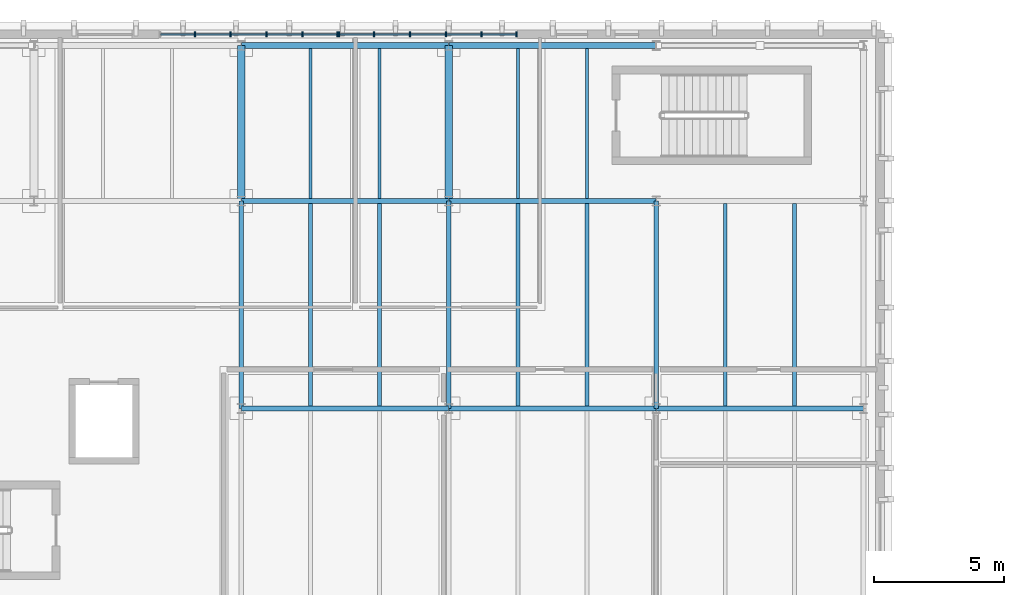
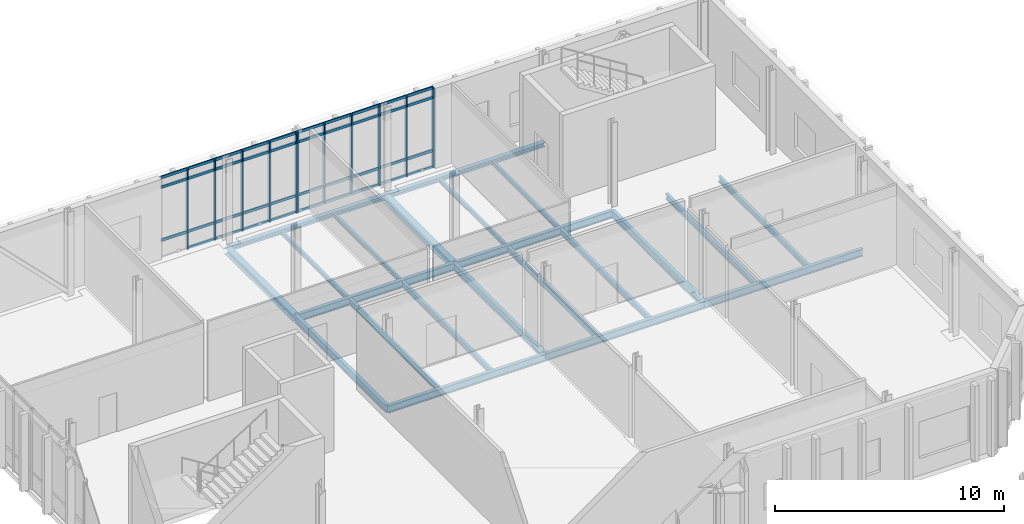
# One storey, part 23 of 62: 50 members, 22 beams, 2 elements without a shape of their own.
"""IFC4 building model written with IfcOpenShell, lengths in metres."""

from ifc_helpers import new_model, si_unit, direction, frame, origin, origin_2d, place, context, subcontext, project, spatial, rectangle, i_section, extrude, material, material_profile, profile_set, type_object, element, aggregate, save


model = new_model("IFC4")

# Units and contexts
model_context = context("Model", 3, precision=1e-05, world=origin(), true_north=direction((0.0, 1.0)))
body_context = subcontext(model_context, "Body", "Model", "MODEL_VIEW")
ifc_project = project(units=[si_unit("LENGTHUNIT", "METRE"), si_unit("AREAUNIT", "SQUARE_METRE"), si_unit("VOLUMEUNIT", "CUBIC_METRE"), si_unit("PLANEANGLEUNIT", "RADIAN"), si_unit("MASSUNIT", "GRAM", prefix="KILO")], contexts=[model_context])

# Site, building, storey
site_placement = place(None, origin())
site = spatial("IfcSite", under=ifc_project, at=site_placement, CompositionType="ELEMENT")
building_placement = place(site_placement, origin())
building = spatial("IfcBuilding", under=site, at=building_placement, Name="Cymarion Research Institute", CompositionType="ELEMENT")
storey_placement = place(building_placement, frame((0.0, 0.0, 18.300048828125)))
storey = spatial("IfcBuildingStorey", under=building, at=storey_placement, Name="L04", CompositionType="ELEMENT", Elevation=18.300048828125)

# Curtain wall, members
ifc_material_1 = material(Name="Anodised aluminium unitised curtain wall with Low-E glazing", Category="aluminium")
curtain_wall_type = type_object("IfcCurtainWallType", Name="UNITISED CURTAIN WALL CW44 6910X4280", PredefinedType="NOTDEFINED", material=ifc_material_1)
curtain_wall_1_placement = place(storey_placement, origin())
curtain_wall_1 = element("IfcCurtainWall", 1, at=curtain_wall_1_placement, inside=storey, type_object=curtain_wall_type, Name="L04 V5 unitised curtain wall CW44 #193", PredefinedType="NOTDEFINED")
ifc_material_2 = material(Name="Anodised aluminium framing", Category="aluminium")
ifc_material_profile_1 = material_profile(ifc_material_2, rectangle(XDim=0.06005859375, YDim=0.179931640625, at=origin_2d()), Name="ALU MULLION 60x180")
ifc_profile_set_1 = profile_set([ifc_material_profile_1], Name="Anodised aluminium framing")
member_type_1 = type_object("IfcMemberType", Name="CURTAIN WALL MULLION ML01 60X180", PredefinedType="MULLION", material=ifc_profile_set_1)
member_1_placement = place(storey_placement, frame((33.221923828125, 115.929931640625, 0.0), z_axis=(0.0, 0.0, 1.0), x_axis=(-1.0, 0.0, 0.0)))
member_1 = element("IfcMember", 2, at=member_1_placement, type_object=member_type_1, Name="CW44 mullion 1", PredefinedType="MULLION", context=body_context, shape_type="SweptSolid", body=[
    extrude(rectangle(XDim=0.06005859375, YDim=0.179931640625, at=origin_2d()), origin(), (0.0, 0.0, 1.0), 4.280029296875),
])
member_2_placement = place(storey_placement, frame((31.869384765625, 115.929931640625, 0.0), z_axis=(0.0, 0.0, 1.0), x_axis=(-1.0, 0.0, 0.0)))
member_2 = element("IfcMember", 3, at=member_2_placement, type_object=member_type_1, Name="CW44 mullion 2", PredefinedType="MULLION", context=body_context, shape_type="SweptSolid", body=[
    extrude(rectangle(XDim=0.06005859375, YDim=0.179931640625, at=origin_2d()), origin(), (0.0, 0.0, 1.0), 4.280029296875),
])
member_3_placement = place(storey_placement, frame((30.48681640625, 115.929931640625, 0.0), z_axis=(0.0, 0.0, 1.0), x_axis=(-1.0, 0.0, 0.0)))
member_3 = element("IfcMember", 4, at=member_3_placement, type_object=member_type_1, Name="CW44 mullion 3", PredefinedType="MULLION", context=body_context, shape_type="SweptSolid", body=[
    extrude(rectangle(XDim=0.06005859375, YDim=0.179931640625, at=origin_2d()), origin(), (0.0, 0.0, 1.0), 4.280029296875),
])
member_4_placement = place(storey_placement, frame((29.104248046875, 115.929931640625, 0.0), z_axis=(0.0, 0.0, 1.0), x_axis=(-1.0, 0.0, 0.0)))
member_4 = element("IfcMember", 5, at=member_4_placement, type_object=member_type_1, Name="CW44 mullion 4", PredefinedType="MULLION", context=body_context, shape_type="SweptSolid", body=[
    extrude(rectangle(XDim=0.06005859375, YDim=0.179931640625, at=origin_2d()), origin(), (0.0, 0.0, 1.0), 4.280029296875),
])
member_5_placement = place(storey_placement, frame((27.7216796875, 115.929931640625, 0.0), z_axis=(0.0, 0.0, 1.0), x_axis=(-1.0, 0.0, 0.0)))
member_5 = element("IfcMember", 6, at=member_5_placement, type_object=member_type_1, Name="CW44 mullion 5", PredefinedType="MULLION", context=body_context, shape_type="SweptSolid", body=[
    extrude(rectangle(XDim=0.06005859375, YDim=0.179931640625, at=origin_2d()), origin(), (0.0, 0.0, 1.0), 4.280029296875),
])
member_6_placement = place(storey_placement, frame((26.368896484375, 115.929931640625, 0.0), z_axis=(0.0, 0.0, 1.0), x_axis=(-1.0, 0.0, 0.0)))
member_6 = element("IfcMember", 7, at=member_6_placement, type_object=member_type_1, Name="CW44 mullion 6", PredefinedType="MULLION", context=body_context, shape_type="SweptSolid", body=[
    extrude(rectangle(XDim=0.06005859375, YDim=0.179931640625, at=origin_2d()), origin(), (0.0, 0.0, 1.0), 4.280029296875),
])

curtain_wall_2_placement = place(storey_placement, origin())
curtain_wall_2 = element("IfcCurtainWall", 8, at=curtain_wall_2_placement, inside=storey, type_object=curtain_wall_type, Name="L04 V5 unitised curtain wall CW44 #194", PredefinedType="NOTDEFINED")
member_7_placement = place(storey_placement, frame((26.30908203125, 115.929931640625, 0.0), z_axis=(0.0, 0.0, 1.0), x_axis=(-1.0, 0.0, 0.0)))
member_7 = element("IfcMember", 9, at=member_7_placement, type_object=member_type_1, Name="CW44 mullion 1", PredefinedType="MULLION", context=body_context, shape_type="SweptSolid", body=[
    extrude(rectangle(XDim=0.06005859375, YDim=0.179931640625, at=origin_2d()), origin(), (0.0, 0.0, 1.0), 4.280029296875),
])
member_8_placement = place(storey_placement, frame((24.956298828125, 115.929931640625, 0.0), z_axis=(0.0, 0.0, 1.0), x_axis=(-1.0, 0.0, 0.0)))
member_8 = element("IfcMember", 10, at=member_8_placement, type_object=member_type_1, Name="CW44 mullion 2", PredefinedType="MULLION", context=body_context, shape_type="SweptSolid", body=[
    extrude(rectangle(XDim=0.06005859375, YDim=0.179931640625, at=origin_2d()), origin(), (0.0, 0.0, 1.0), 4.280029296875),
])
member_9_placement = place(storey_placement, frame((23.57373046875, 115.929931640625, 0.0), z_axis=(0.0, 0.0, 1.0), x_axis=(-1.0, 0.0, 0.0)))
member_9 = element("IfcMember", 11, at=member_9_placement, type_object=member_type_1, Name="CW44 mullion 3", PredefinedType="MULLION", context=body_context, shape_type="SweptSolid", body=[
    extrude(rectangle(XDim=0.06005859375, YDim=0.179931640625, at=origin_2d()), origin(), (0.0, 0.0, 1.0), 4.280029296875),
])
member_10_placement = place(storey_placement, frame((22.191162109375, 115.929931640625, 0.0), z_axis=(0.0, 0.0, 1.0), x_axis=(-1.0, 0.0, 0.0)))
member_10 = element("IfcMember", 12, at=member_10_placement, type_object=member_type_1, Name="CW44 mullion 4", PredefinedType="MULLION", context=body_context, shape_type="SweptSolid", body=[
    extrude(rectangle(XDim=0.06005859375, YDim=0.179931640625, at=origin_2d()), origin(), (0.0, 0.0, 1.0), 4.280029296875),
])
member_11_placement = place(storey_placement, frame((20.80859375, 115.929931640625, 0.0), z_axis=(0.0, 0.0, 1.0), x_axis=(-1.0, 0.0, 0.0)))
member_11 = element("IfcMember", 13, at=member_11_placement, type_object=member_type_1, Name="CW44 mullion 5", PredefinedType="MULLION", context=body_context, shape_type="SweptSolid", body=[
    extrude(rectangle(XDim=0.06005859375, YDim=0.179931640625, at=origin_2d()), origin(), (0.0, 0.0, 1.0), 4.280029296875),
])

# Member
ifc_material_profile_2 = material_profile(ifc_material_2, rectangle(XDim=0.06005859375, YDim=0.14990234375, at=origin_2d()), Name="ALU TRANSOM 60x150")
ifc_profile_set_2 = profile_set([ifc_material_profile_2], Name="Anodised aluminium framing")
member_type_2 = type_object("IfcMemberType", Name="CURTAIN WALL TRANSOM TR01 60X150", PredefinedType="USERDEFINED", material=ifc_profile_set_2)
member_12_placement = place(storey_placement, frame((33.19189453125, 115.929931640625, 0.030029296875), z_axis=(-1.0, 0.0, 0.0), x_axis=(0.0, -1.0, 0.0)))
member_12 = element("IfcMember", 14, at=member_12_placement, type_object=member_type_2, Name="CW44 transom 1.1", ObjectType="TRANSOM", PredefinedType="USERDEFINED", context=body_context, shape_type="SweptSolid", body=[
    extrude(rectangle(XDim=0.06005859375, YDim=0.14990234375, at=origin_2d()), origin(), (0.0, 0.0, 1.0), 1.29248046875),
])

member_13_placement = place(storey_placement, frame((33.19189453125, 115.929931640625, 0.89990234375), z_axis=(-1.0, 0.0, 0.0), x_axis=(0.0, -1.0, 0.0)))
member_13 = element("IfcMember", 15, at=member_13_placement, type_object=member_type_2, Name="CW44 transom 1.2", ObjectType="TRANSOM", PredefinedType="USERDEFINED", context=body_context, shape_type="SweptSolid", body=[
    extrude(rectangle(XDim=0.06005859375, YDim=0.14990234375, at=origin_2d()), origin(), (0.0, 0.0, 1.0), 1.29248046875),
])

member_14_placement = place(storey_placement, frame((33.19189453125, 115.929931640625, 3.72998046875), z_axis=(-1.0, 0.0, 0.0), x_axis=(0.0, -1.0, 0.0)))
member_14 = element("IfcMember", 16, at=member_14_placement, type_object=member_type_2, Name="CW44 transom 1.3", ObjectType="TRANSOM", PredefinedType="USERDEFINED", context=body_context, shape_type="SweptSolid", body=[
    extrude(rectangle(XDim=0.06005859375, YDim=0.14990234375, at=origin_2d()), origin(), (0.0, 0.0, 1.0), 1.29248046875),
])

member_15_placement = place(storey_placement, frame((33.19189453125, 115.929931640625, 4.25), z_axis=(-1.0, 0.0, 0.0), x_axis=(0.0, -1.0, 0.0)))
member_15 = element("IfcMember", 17, at=member_15_placement, type_object=member_type_2, Name="CW44 transom 1.4", ObjectType="TRANSOM", PredefinedType="USERDEFINED", context=body_context, shape_type="SweptSolid", body=[
    extrude(rectangle(XDim=0.06005859375, YDim=0.14990234375, at=origin_2d()), origin(), (0.0, 0.0, 1.0), 1.29248046875),
])

member_16_placement = place(storey_placement, frame((31.83935546875, 115.929931640625, 0.030029296875), z_axis=(-1.0, 0.0, 0.0), x_axis=(0.0, -1.0, 0.0)))
member_16 = element("IfcMember", 18, at=member_16_placement, type_object=member_type_2, Name="CW44 transom 2.1", ObjectType="TRANSOM", PredefinedType="USERDEFINED", context=body_context, shape_type="SweptSolid", body=[
    extrude(rectangle(XDim=0.06005859375, YDim=0.14990234375, at=origin_2d()), origin(), (0.0, 0.0, 1.0), 1.322509765625),
])

member_17_placement = place(storey_placement, frame((31.83935546875, 115.929931640625, 0.89990234375), z_axis=(-1.0, 0.0, 0.0), x_axis=(0.0, -1.0, 0.0)))
member_17 = element("IfcMember", 19, at=member_17_placement, type_object=member_type_2, Name="CW44 transom 2.2", ObjectType="TRANSOM", PredefinedType="USERDEFINED", context=body_context, shape_type="SweptSolid", body=[
    extrude(rectangle(XDim=0.06005859375, YDim=0.14990234375, at=origin_2d()), origin(), (0.0, 0.0, 1.0), 1.322509765625),
])

member_18_placement = place(storey_placement, frame((31.83935546875, 115.929931640625, 3.72998046875), z_axis=(-1.0, 0.0, 0.0), x_axis=(0.0, -1.0, 0.0)))
member_18 = element("IfcMember", 20, at=member_18_placement, type_object=member_type_2, Name="CW44 transom 2.3", ObjectType="TRANSOM", PredefinedType="USERDEFINED", context=body_context, shape_type="SweptSolid", body=[
    extrude(rectangle(XDim=0.06005859375, YDim=0.14990234375, at=origin_2d()), origin(), (0.0, 0.0, 1.0), 1.322509765625),
])

member_19_placement = place(storey_placement, frame((31.83935546875, 115.929931640625, 4.25), z_axis=(-1.0, 0.0, 0.0), x_axis=(0.0, -1.0, 0.0)))
member_19 = element("IfcMember", 21, at=member_19_placement, type_object=member_type_2, Name="CW44 transom 2.4", ObjectType="TRANSOM", PredefinedType="USERDEFINED", context=body_context, shape_type="SweptSolid", body=[
    extrude(rectangle(XDim=0.06005859375, YDim=0.14990234375, at=origin_2d()), origin(), (0.0, 0.0, 1.0), 1.322509765625),
])

member_20_placement = place(storey_placement, frame((30.456787109375, 115.929931640625, 0.030029296875), z_axis=(-1.0, 0.0, 0.0), x_axis=(0.0, -1.0, 0.0)))
member_20 = element("IfcMember", 22, at=member_20_placement, type_object=member_type_2, Name="CW44 transom 3.1", ObjectType="TRANSOM", PredefinedType="USERDEFINED", context=body_context, shape_type="SweptSolid", body=[
    extrude(rectangle(XDim=0.06005859375, YDim=0.14990234375, at=origin_2d()), origin(), (0.0, 0.0, 1.0), 1.322509765625),
])

member_21_placement = place(storey_placement, frame((30.456787109375, 115.929931640625, 0.89990234375), z_axis=(-1.0, 0.0, 0.0), x_axis=(0.0, -1.0, 0.0)))
member_21 = element("IfcMember", 23, at=member_21_placement, type_object=member_type_2, Name="CW44 transom 3.2", ObjectType="TRANSOM", PredefinedType="USERDEFINED", context=body_context, shape_type="SweptSolid", body=[
    extrude(rectangle(XDim=0.06005859375, YDim=0.14990234375, at=origin_2d()), origin(), (0.0, 0.0, 1.0), 1.322509765625),
])

member_22_placement = place(storey_placement, frame((30.456787109375, 115.929931640625, 3.72998046875), z_axis=(-1.0, 0.0, 0.0), x_axis=(0.0, -1.0, 0.0)))
member_22 = element("IfcMember", 24, at=member_22_placement, type_object=member_type_2, Name="CW44 transom 3.3", ObjectType="TRANSOM", PredefinedType="USERDEFINED", context=body_context, shape_type="SweptSolid", body=[
    extrude(rectangle(XDim=0.06005859375, YDim=0.14990234375, at=origin_2d()), origin(), (0.0, 0.0, 1.0), 1.322509765625),
])

member_23_placement = place(storey_placement, frame((30.456787109375, 115.929931640625, 4.25), z_axis=(-1.0, 0.0, 0.0), x_axis=(0.0, -1.0, 0.0)))
member_23 = element("IfcMember", 25, at=member_23_placement, type_object=member_type_2, Name="CW44 transom 3.4", ObjectType="TRANSOM", PredefinedType="USERDEFINED", context=body_context, shape_type="SweptSolid", body=[
    extrude(rectangle(XDim=0.06005859375, YDim=0.14990234375, at=origin_2d()), origin(), (0.0, 0.0, 1.0), 1.322509765625),
])

member_24_placement = place(storey_placement, frame((29.07421875, 115.929931640625, 0.030029296875), z_axis=(-1.0, 0.0, 0.0), x_axis=(0.0, -1.0, 0.0)))
member_24 = element("IfcMember", 26, at=member_24_placement, type_object=member_type_2, Name="CW44 transom 4.1", ObjectType="TRANSOM", PredefinedType="USERDEFINED", context=body_context, shape_type="SweptSolid", body=[
    extrude(rectangle(XDim=0.06005859375, YDim=0.14990234375, at=origin_2d()), origin(), (0.0, 0.0, 1.0), 1.322509765625),
])

member_25_placement = place(storey_placement, frame((29.07421875, 115.929931640625, 0.89990234375), z_axis=(-1.0, 0.0, 0.0), x_axis=(0.0, -1.0, 0.0)))
member_25 = element("IfcMember", 27, at=member_25_placement, type_object=member_type_2, Name="CW44 transom 4.2", ObjectType="TRANSOM", PredefinedType="USERDEFINED", context=body_context, shape_type="SweptSolid", body=[
    extrude(rectangle(XDim=0.06005859375, YDim=0.14990234375, at=origin_2d()), origin(), (0.0, 0.0, 1.0), 1.322509765625),
])

member_26_placement = place(storey_placement, frame((29.07421875, 115.929931640625, 3.72998046875), z_axis=(-1.0, 0.0, 0.0), x_axis=(0.0, -1.0, 0.0)))
member_26 = element("IfcMember", 28, at=member_26_placement, type_object=member_type_2, Name="CW44 transom 4.3", ObjectType="TRANSOM", PredefinedType="USERDEFINED", context=body_context, shape_type="SweptSolid", body=[
    extrude(rectangle(XDim=0.06005859375, YDim=0.14990234375, at=origin_2d()), origin(), (0.0, 0.0, 1.0), 1.322509765625),
])

member_27_placement = place(storey_placement, frame((29.07421875, 115.929931640625, 4.25), z_axis=(-1.0, 0.0, 0.0), x_axis=(0.0, -1.0, 0.0)))
member_27 = element("IfcMember", 29, at=member_27_placement, type_object=member_type_2, Name="CW44 transom 4.4", ObjectType="TRANSOM", PredefinedType="USERDEFINED", context=body_context, shape_type="SweptSolid", body=[
    extrude(rectangle(XDim=0.06005859375, YDim=0.14990234375, at=origin_2d()), origin(), (0.0, 0.0, 1.0), 1.322509765625),
])

member_28_placement = place(storey_placement, frame((27.691650390625, 115.929931640625, 0.030029296875), z_axis=(-1.0, 0.0, 0.0), x_axis=(0.0, -1.0, 0.0)))
member_28 = element("IfcMember", 30, at=member_28_placement, type_object=member_type_2, Name="CW44 transom 5.1", ObjectType="TRANSOM", PredefinedType="USERDEFINED", context=body_context, shape_type="SweptSolid", body=[
    extrude(rectangle(XDim=0.06005859375, YDim=0.14990234375, at=origin_2d()), origin(), (0.0, 0.0, 1.0), 1.292724609375),
])

member_29_placement = place(storey_placement, frame((27.691650390625, 115.929931640625, 0.89990234375), z_axis=(-1.0, 0.0, 0.0), x_axis=(0.0, -1.0, 0.0)))
member_29 = element("IfcMember", 31, at=member_29_placement, type_object=member_type_2, Name="CW44 transom 5.2", ObjectType="TRANSOM", PredefinedType="USERDEFINED", context=body_context, shape_type="SweptSolid", body=[
    extrude(rectangle(XDim=0.06005859375, YDim=0.14990234375, at=origin_2d()), origin(), (0.0, 0.0, 1.0), 1.292724609375),
])

member_30_placement = place(storey_placement, frame((27.691650390625, 115.929931640625, 3.72998046875), z_axis=(-1.0, 0.0, 0.0), x_axis=(0.0, -1.0, 0.0)))
member_30 = element("IfcMember", 32, at=member_30_placement, type_object=member_type_2, Name="CW44 transom 5.3", ObjectType="TRANSOM", PredefinedType="USERDEFINED", context=body_context, shape_type="SweptSolid", body=[
    extrude(rectangle(XDim=0.06005859375, YDim=0.14990234375, at=origin_2d()), origin(), (0.0, 0.0, 1.0), 1.292724609375),
])

member_31_placement = place(storey_placement, frame((27.691650390625, 115.929931640625, 4.25), z_axis=(-1.0, 0.0, 0.0), x_axis=(0.0, -1.0, 0.0)))
member_31 = element("IfcMember", 33, at=member_31_placement, type_object=member_type_2, Name="CW44 transom 5.4", ObjectType="TRANSOM", PredefinedType="USERDEFINED", context=body_context, shape_type="SweptSolid", body=[
    extrude(rectangle(XDim=0.06005859375, YDim=0.14990234375, at=origin_2d()), origin(), (0.0, 0.0, 1.0), 1.292724609375),
])

aggregate(curtain_wall_1, [member_1, member_2, member_3, member_4, member_5, member_6, member_12, member_13, member_14, member_15, member_16, member_17, member_18, member_19, member_20, member_21, member_22, member_23, member_24, member_25, member_26, member_27, member_28, member_29, member_30, member_31])

member_32_placement = place(storey_placement, frame((26.279052734375, 115.929931640625, 0.030029296875), z_axis=(-1.0, 0.0, 0.0), x_axis=(0.0, -1.0, 0.0)))
member_32 = element("IfcMember", 34, at=member_32_placement, type_object=member_type_2, Name="CW44 transom 1.1", ObjectType="TRANSOM", PredefinedType="USERDEFINED", context=body_context, shape_type="SweptSolid", body=[
    extrude(rectangle(XDim=0.06005859375, YDim=0.14990234375, at=origin_2d()), origin(), (0.0, 0.0, 1.0), 1.292724609375),
])

member_33_placement = place(storey_placement, frame((26.279052734375, 115.929931640625, 0.89990234375), z_axis=(-1.0, 0.0, 0.0), x_axis=(0.0, -1.0, 0.0)))
member_33 = element("IfcMember", 35, at=member_33_placement, type_object=member_type_2, Name="CW44 transom 1.2", ObjectType="TRANSOM", PredefinedType="USERDEFINED", context=body_context, shape_type="SweptSolid", body=[
    extrude(rectangle(XDim=0.06005859375, YDim=0.14990234375, at=origin_2d()), origin(), (0.0, 0.0, 1.0), 1.292724609375),
])

member_34_placement = place(storey_placement, frame((26.279052734375, 115.929931640625, 3.72998046875), z_axis=(-1.0, 0.0, 0.0), x_axis=(0.0, -1.0, 0.0)))
member_34 = element("IfcMember", 36, at=member_34_placement, type_object=member_type_2, Name="CW44 transom 1.3", ObjectType="TRANSOM", PredefinedType="USERDEFINED", context=body_context, shape_type="SweptSolid", body=[
    extrude(rectangle(XDim=0.06005859375, YDim=0.14990234375, at=origin_2d()), origin(), (0.0, 0.0, 1.0), 1.292724609375),
])

member_35_placement = place(storey_placement, frame((26.279052734375, 115.929931640625, 4.25), z_axis=(-1.0, 0.0, 0.0), x_axis=(0.0, -1.0, 0.0)))
member_35 = element("IfcMember", 37, at=member_35_placement, type_object=member_type_2, Name="CW44 transom 1.4", ObjectType="TRANSOM", PredefinedType="USERDEFINED", context=body_context, shape_type="SweptSolid", body=[
    extrude(rectangle(XDim=0.06005859375, YDim=0.14990234375, at=origin_2d()), origin(), (0.0, 0.0, 1.0), 1.292724609375),
])

member_36_placement = place(storey_placement, frame((24.926513671875, 115.929931640625, 0.030029296875), z_axis=(-1.0, 0.0, 0.0), x_axis=(0.0, -1.0, 0.0)))
member_36 = element("IfcMember", 38, at=member_36_placement, type_object=member_type_2, Name="CW44 transom 2.1", ObjectType="TRANSOM", PredefinedType="USERDEFINED", context=body_context, shape_type="SweptSolid", body=[
    extrude(rectangle(XDim=0.06005859375, YDim=0.14990234375, at=origin_2d()), origin(), (0.0, 0.0, 1.0), 1.32275390625),
])

member_37_placement = place(storey_placement, frame((24.926513671875, 115.929931640625, 0.89990234375), z_axis=(-1.0, 0.0, 0.0), x_axis=(0.0, -1.0, 0.0)))
member_37 = element("IfcMember", 39, at=member_37_placement, type_object=member_type_2, Name="CW44 transom 2.2", ObjectType="TRANSOM", PredefinedType="USERDEFINED", context=body_context, shape_type="SweptSolid", body=[
    extrude(rectangle(XDim=0.06005859375, YDim=0.14990234375, at=origin_2d()), origin(), (0.0, 0.0, 1.0), 1.32275390625),
])

member_38_placement = place(storey_placement, frame((24.926513671875, 115.929931640625, 3.72998046875), z_axis=(-1.0, 0.0, 0.0), x_axis=(0.0, -1.0, 0.0)))
member_38 = element("IfcMember", 40, at=member_38_placement, type_object=member_type_2, Name="CW44 transom 2.3", ObjectType="TRANSOM", PredefinedType="USERDEFINED", context=body_context, shape_type="SweptSolid", body=[
    extrude(rectangle(XDim=0.06005859375, YDim=0.14990234375, at=origin_2d()), origin(), (0.0, 0.0, 1.0), 1.32275390625),
])

member_39_placement = place(storey_placement, frame((24.926513671875, 115.929931640625, 4.25), z_axis=(-1.0, 0.0, 0.0), x_axis=(0.0, -1.0, 0.0)))
member_39 = element("IfcMember", 41, at=member_39_placement, type_object=member_type_2, Name="CW44 transom 2.4", ObjectType="TRANSOM", PredefinedType="USERDEFINED", context=body_context, shape_type="SweptSolid", body=[
    extrude(rectangle(XDim=0.06005859375, YDim=0.14990234375, at=origin_2d()), origin(), (0.0, 0.0, 1.0), 1.32275390625),
])

member_40_placement = place(storey_placement, frame((23.543701171875, 115.929931640625, 0.030029296875), z_axis=(-1.0, 0.0, 0.0), x_axis=(0.0, -1.0, 0.0)))
member_40 = element("IfcMember", 42, at=member_40_placement, type_object=member_type_2, Name="CW44 transom 3.1", ObjectType="TRANSOM", PredefinedType="USERDEFINED", context=body_context, shape_type="SweptSolid", body=[
    extrude(rectangle(XDim=0.06005859375, YDim=0.14990234375, at=origin_2d()), origin(), (0.0, 0.0, 1.0), 1.322509765625),
])

member_41_placement = place(storey_placement, frame((23.543701171875, 115.929931640625, 0.89990234375), z_axis=(-1.0, 0.0, 0.0), x_axis=(0.0, -1.0, 0.0)))
member_41 = element("IfcMember", 43, at=member_41_placement, type_object=member_type_2, Name="CW44 transom 3.2", ObjectType="TRANSOM", PredefinedType="USERDEFINED", context=body_context, shape_type="SweptSolid", body=[
    extrude(rectangle(XDim=0.06005859375, YDim=0.14990234375, at=origin_2d()), origin(), (0.0, 0.0, 1.0), 1.322509765625),
])

member_42_placement = place(storey_placement, frame((23.543701171875, 115.929931640625, 3.72998046875), z_axis=(-1.0, 0.0, 0.0), x_axis=(0.0, -1.0, 0.0)))
member_42 = element("IfcMember", 44, at=member_42_placement, type_object=member_type_2, Name="CW44 transom 3.3", ObjectType="TRANSOM", PredefinedType="USERDEFINED", context=body_context, shape_type="SweptSolid", body=[
    extrude(rectangle(XDim=0.06005859375, YDim=0.14990234375, at=origin_2d()), origin(), (0.0, 0.0, 1.0), 1.322509765625),
])

member_43_placement = place(storey_placement, frame((23.543701171875, 115.929931640625, 4.25), z_axis=(-1.0, 0.0, 0.0), x_axis=(0.0, -1.0, 0.0)))
member_43 = element("IfcMember", 45, at=member_43_placement, type_object=member_type_2, Name="CW44 transom 3.4", ObjectType="TRANSOM", PredefinedType="USERDEFINED", context=body_context, shape_type="SweptSolid", body=[
    extrude(rectangle(XDim=0.06005859375, YDim=0.14990234375, at=origin_2d()), origin(), (0.0, 0.0, 1.0), 1.322509765625),
])

member_44_placement = place(storey_placement, frame((22.1611328125, 115.929931640625, 0.030029296875), z_axis=(-1.0, 0.0, 0.0), x_axis=(0.0, -1.0, 0.0)))
member_44 = element("IfcMember", 46, at=member_44_placement, type_object=member_type_2, Name="CW44 transom 4.1", ObjectType="TRANSOM", PredefinedType="USERDEFINED", context=body_context, shape_type="SweptSolid", body=[
    extrude(rectangle(XDim=0.06005859375, YDim=0.14990234375, at=origin_2d()), origin(), (0.0, 0.0, 1.0), 1.322509765625),
])

member_45_placement = place(storey_placement, frame((22.1611328125, 115.929931640625, 0.89990234375), z_axis=(-1.0, 0.0, 0.0), x_axis=(0.0, -1.0, 0.0)))
member_45 = element("IfcMember", 47, at=member_45_placement, type_object=member_type_2, Name="CW44 transom 4.2", ObjectType="TRANSOM", PredefinedType="USERDEFINED", context=body_context, shape_type="SweptSolid", body=[
    extrude(rectangle(XDim=0.06005859375, YDim=0.14990234375, at=origin_2d()), origin(), (0.0, 0.0, 1.0), 1.322509765625),
])

member_46_placement = place(storey_placement, frame((22.1611328125, 115.929931640625, 3.72998046875), z_axis=(-1.0, 0.0, 0.0), x_axis=(0.0, -1.0, 0.0)))
member_46 = element("IfcMember", 48, at=member_46_placement, type_object=member_type_2, Name="CW44 transom 4.3", ObjectType="TRANSOM", PredefinedType="USERDEFINED", context=body_context, shape_type="SweptSolid", body=[
    extrude(rectangle(XDim=0.06005859375, YDim=0.14990234375, at=origin_2d()), origin(), (0.0, 0.0, 1.0), 1.322509765625),
])

member_47_placement = place(storey_placement, frame((22.1611328125, 115.929931640625, 4.25), z_axis=(-1.0, 0.0, 0.0), x_axis=(0.0, -1.0, 0.0)))
member_47 = element("IfcMember", 49, at=member_47_placement, type_object=member_type_2, Name="CW44 transom 4.4", ObjectType="TRANSOM", PredefinedType="USERDEFINED", context=body_context, shape_type="SweptSolid", body=[
    extrude(rectangle(XDim=0.06005859375, YDim=0.14990234375, at=origin_2d()), origin(), (0.0, 0.0, 1.0), 1.322509765625),
])

member_48_placement = place(storey_placement, frame((20.778564453125, 115.929931640625, 0.89990234375), z_axis=(-1.0, 0.0, 0.0), x_axis=(0.0, -1.0, 0.0)))
member_48 = element("IfcMember", 50, at=member_48_placement, type_object=member_type_2, Name="CW44 transom 5.2", ObjectType="TRANSOM", PredefinedType="USERDEFINED", context=body_context, shape_type="SweptSolid", body=[
    extrude(rectangle(XDim=0.06005859375, YDim=0.14990234375, at=origin_2d()), origin(), (0.0, 0.0, 1.0), 1.29248046875),
])

member_49_placement = place(storey_placement, frame((20.778564453125, 115.929931640625, 3.72998046875), z_axis=(-1.0, 0.0, 0.0), x_axis=(0.0, -1.0, 0.0)))
member_49 = element("IfcMember", 51, at=member_49_placement, type_object=member_type_2, Name="CW44 transom 5.3", ObjectType="TRANSOM", PredefinedType="USERDEFINED", context=body_context, shape_type="SweptSolid", body=[
    extrude(rectangle(XDim=0.06005859375, YDim=0.14990234375, at=origin_2d()), origin(), (0.0, 0.0, 1.0), 1.29248046875),
])

member_50_placement = place(storey_placement, frame((20.778564453125, 115.929931640625, 4.25), z_axis=(-1.0, 0.0, 0.0), x_axis=(0.0, -1.0, 0.0)))
member_50 = element("IfcMember", 52, at=member_50_placement, type_object=member_type_2, Name="CW44 transom 5.4", ObjectType="TRANSOM", PredefinedType="USERDEFINED", context=body_context, shape_type="SweptSolid", body=[
    extrude(rectangle(XDim=0.06005859375, YDim=0.14990234375, at=origin_2d()), origin(), (0.0, 0.0, 1.0), 1.29248046875),
])

aggregate(curtain_wall_2, [member_7, member_8, member_9, member_10, member_11, member_32, member_33, member_34, member_35, member_36, member_37, member_38, member_39, member_40, member_41, member_42, member_43, member_44, member_45, member_46, member_47, member_48, member_49, member_50])

# Beams
ifc_material_3 = material(Name="Steel S355", Category="steel")
ifc_material_profile_3 = material_profile(ifc_material_3, i_section(OverallWidth=0.179931640625, OverallDepth=0.39990234375, WebThickness=0.008544921875, FlangeThickness=0.013427734375, FilletRadius=0.02099609375, at=origin_2d()), Name="IPE 400")
ifc_profile_set_3 = profile_set([ifc_material_profile_3], Name="Steel S355")
beam_type_1 = type_object("IfcBeamType", Name="PRIMARY GIRDER BM05 IPE 400", PredefinedType="BEAM", material=ifc_profile_set_3)
for number, where, z_axis, x_axis, name in (
    (53, (22.60595703125, 101.5, -0.449951171875), (1.0, 0.0, 0.0), (0.0, 1.0, 0.0), "L04 V5 girder BM05 #1784"),
    (54, (30.60595703125, 101.5, -0.449951171875), (1.0, 0.0, 0.0), (0.0, 1.0, 0.0), "L04 V5 girder BM05 #1785"),
    (55, (38.60595703125, 101.5, -0.449951171875), (1.0, 0.0, 0.0), (0.0, 1.0, 0.0), "L04 V5 girder BM05 #1786"),
    (56, (22.60595703125, 109.5, -0.449951171875), (1.0, 0.0, 0.0), (0.0, 1.0, 0.0), "L04 V5 girder BM05 #1789"),
    (57, (30.60595703125, 109.5, -0.449951171875), (1.0, 0.0, 0.0), (0.0, 1.0, 0.0), "L04 V5 girder BM05 #1790"),
):
    element("IfcBeam", number, at=place(storey_placement, frame(where, z_axis=z_axis, x_axis=x_axis)), inside=storey, type_object=beam_type_1, Name=name, PredefinedType="BEAM", context=body_context, shape_type="SweptSolid", body=[
        extrude(i_section(OverallWidth=0.179931640625, OverallDepth=0.39990234375, WebThickness=0.008544921875, FlangeThickness=0.013427734375, FilletRadius=0.02099609375, at=origin_2d()), origin(), (0.0, 0.0, 1.0), 7.988037109375),
    ])
for number, where, z_axis, x_axis, name in (
    (58, (22.60009765625, 101.506103515625, -0.449951171875), (0.0, 1.0, 0.0), (-1.0, 0.0, 0.0), "L04 V5 girder BM05 #1805"),
    (59, (30.60009765625, 101.506103515625, -0.449951171875), (0.0, 1.0, 0.0), (-1.0, 0.0, 0.0), "L04 V5 girder BM05 #1809"),
    (60, (38.60009765625, 101.506103515625, -0.449951171875), (0.0, 1.0, 0.0), (-1.0, 0.0, 0.0), "L04 V5 girder BM05 #1813"),
):
    element("IfcBeam", number, at=place(storey_placement, frame(where, z_axis=z_axis, x_axis=x_axis)), inside=storey, type_object=beam_type_1, Name=name, PredefinedType="BEAM", context=body_context, shape_type="SweptSolid", body=[
        extrude(i_section(OverallWidth=0.179931640625, OverallDepth=0.39990234375, WebThickness=0.008544921875, FlangeThickness=0.013427734375, FilletRadius=0.02099609375, at=origin_2d()), origin(), (0.0, 0.0, 1.0), 7.98779296875),
    ])
ifc_material_profile_4 = material_profile(ifc_material_3, i_section(OverallWidth=0.300048828125, OverallDepth=0.35009765625, WebThickness=0.010009765625, FlangeThickness=0.017578125, FilletRadius=0.027099609375, at=origin_2d()), Name="HEA 360")
ifc_profile_set_4 = profile_set([ifc_material_profile_4], Name="Steel S355")
beam_type_2 = type_object("IfcBeamType", Name="PRIMARY GIRDER BM12 HEA 360", PredefinedType="BEAM", material=ifc_profile_set_4)
for number, where, z_axis, x_axis, name in (
    (61, (22.60009765625, 109.506103515625, -0.425048828125), (0.0, 1.0, 0.0), (-1.0, 0.0, 0.0), "L04 V5 girder BM12 #1806"),
    (62, (30.60009765625, 109.506103515625, -0.425048828125), (0.0, 1.0, 0.0), (-1.0, 0.0, 0.0), "L04 V5 girder BM12 #1810"),
):
    element("IfcBeam", number, at=place(storey_placement, frame(where, z_axis=z_axis, x_axis=x_axis)), inside=storey, type_object=beam_type_2, Name=name, PredefinedType="BEAM", context=body_context, shape_type="SweptSolid", body=[
        extrude(i_section(OverallWidth=0.300048828125, OverallDepth=0.35009765625, WebThickness=0.010009765625, FlangeThickness=0.017578125, FilletRadius=0.027099609375, at=origin_2d()), origin(), (0.0, 0.0, 1.0), 5.98779296875),
    ])
ifc_material_profile_5 = material_profile(ifc_material_3, i_section(OverallWidth=0.14990234375, OverallDepth=0.300048828125, WebThickness=0.007080078125, FlangeThickness=0.0107421875, FilletRadius=0.014892578125, at=origin_2d()), Name="IPE 300")
ifc_profile_set_5 = profile_set([ifc_material_profile_5], Name="Steel S355")
beam_type_3 = type_object("IfcBeamType", Name="SECONDARY JOIST JS02 IPE 300", PredefinedType="JOIST", material=ifc_profile_set_5)
for number, where, z_axis, x_axis, name in (
    (63, (25.2666015625, 101.593994140625, -0.400146484375), (0.0, 1.0, 0.0), (-1.0, 0.0, 0.0), "L04 V5 secondary joist JS02 #1829"),
    (64, (27.933349609375, 101.593994140625, -0.400146484375), (0.0, 1.0, 0.0), (-1.0, 0.0, 0.0), "L04 V5 secondary joist JS02 #1830"),
    (65, (33.2666015625, 101.593994140625, -0.400146484375), (0.0, 1.0, 0.0), (-1.0, 0.0, 0.0), "L04 V5 secondary joist JS02 #1831"),
    (66, (35.933349609375, 101.593994140625, -0.400146484375), (0.0, 1.0, 0.0), (-1.0, 0.0, 0.0), "L04 V5 secondary joist JS02 #1832"),
    (67, (41.2666015625, 101.593994140625, -0.400146484375), (0.0, 1.0, 0.0), (-1.0, 0.0, 0.0), "L04 V5 secondary joist JS02 #1833"),
    (68, (43.933349609375, 101.593994140625, -0.400146484375), (0.0, 1.0, 0.0), (-1.0, 0.0, 0.0), "L04 V5 secondary joist JS02 #1834"),
):
    element("IfcBeam", number, at=place(storey_placement, frame(where, z_axis=z_axis, x_axis=x_axis)), inside=storey, type_object=beam_type_3, Name=name, PredefinedType="JOIST", context=body_context, shape_type="SweptSolid", body=[
        extrude(i_section(OverallWidth=0.14990234375, OverallDepth=0.300048828125, WebThickness=0.007080078125, FlangeThickness=0.0107421875, FilletRadius=0.014892578125, at=origin_2d()), origin(), (0.0, 0.0, 1.0), 7.81201171875),
    ])
ifc_material_profile_6 = material_profile(ifc_material_3, i_section(OverallWidth=0.1201171875, OverallDepth=0.239990234375, WebThickness=0.006103515625, FlangeThickness=0.009765625, FilletRadius=0.014892578125, at=origin_2d()), Name="IPE 240")
ifc_profile_set_6 = profile_set([ifc_material_profile_6], Name="Steel S355")
beam_type_4 = type_object("IfcBeamType", Name="SECONDARY JOIST JS04 IPE 240", PredefinedType="JOIST", material=ifc_profile_set_6)
for number, where, z_axis, x_axis, name in (
    (69, (25.2666015625, 109.593994140625, -0.3701171875), (0.0, 1.0, 0.0), (-1.0, 0.0, 0.0), "L04 V5 secondary joist JS04 #1839"),
    (70, (27.933349609375, 109.593994140625, -0.3701171875), (0.0, 1.0, 0.0), (-1.0, 0.0, 0.0), "L04 V5 secondary joist JS04 #1840"),
    (71, (33.2666015625, 109.593994140625, -0.3701171875), (0.0, 1.0, 0.0), (-1.0, 0.0, 0.0), "L04 V5 secondary joist JS04 #1841"),
    (72, (35.933349609375, 109.593994140625, -0.3701171875), (0.0, 1.0, 0.0), (-1.0, 0.0, 0.0), "L04 V5 secondary joist JS04 #1842"),
):
    element("IfcBeam", number, at=place(storey_placement, frame(where, z_axis=z_axis, x_axis=x_axis)), inside=storey, type_object=beam_type_4, Name=name, PredefinedType="JOIST", context=body_context, shape_type="SweptSolid", body=[
        extrude(i_section(OverallWidth=0.1201171875, OverallDepth=0.239990234375, WebThickness=0.006103515625, FlangeThickness=0.009765625, FilletRadius=0.014892578125, at=origin_2d()), origin(), (0.0, 0.0, 1.0), 5.781982421875),
    ])
ifc_material_profile_7 = material_profile(ifc_material_3, i_section(OverallWidth=0.239990234375, OverallDepth=0.22998046875, WebThickness=0.007568359375, FlangeThickness=0.011962890625, FilletRadius=0.02099609375, at=origin_2d()), Name="HEA 240")
ifc_profile_set_7 = profile_set([ifc_material_profile_7], Name="Steel S355")
beam_type_5 = type_object("IfcBeamType", Name="SPANDREL BEAM SPB03 HEA 240", PredefinedType="SPANDREL", material=ifc_profile_set_7)
for number, where, z_axis, x_axis, name in (
    (73, (22.60595703125, 115.5, -0.364990234375), (1.0, 0.0, 0.0), (0.0, 1.0, 0.0), "L04 V5 girder SPB03 #1794"),
    (74, (30.60595703125, 115.5, -0.364990234375), (1.0, 0.0, 0.0), (0.0, 1.0, 0.0), "L04 V5 girder SPB03 #1795"),
):
    element("IfcBeam", number, at=place(storey_placement, frame(where, z_axis=z_axis, x_axis=x_axis)), inside=storey, type_object=beam_type_5, Name=name, PredefinedType="SPANDREL", context=body_context, shape_type="SweptSolid", body=[
        extrude(i_section(OverallWidth=0.239990234375, OverallDepth=0.22998046875, WebThickness=0.007568359375, FlangeThickness=0.011962890625, FilletRadius=0.02099609375, at=origin_2d()), origin(), (0.0, 0.0, 1.0), 7.988037109375),
    ])

save(model, "model.ifc")
